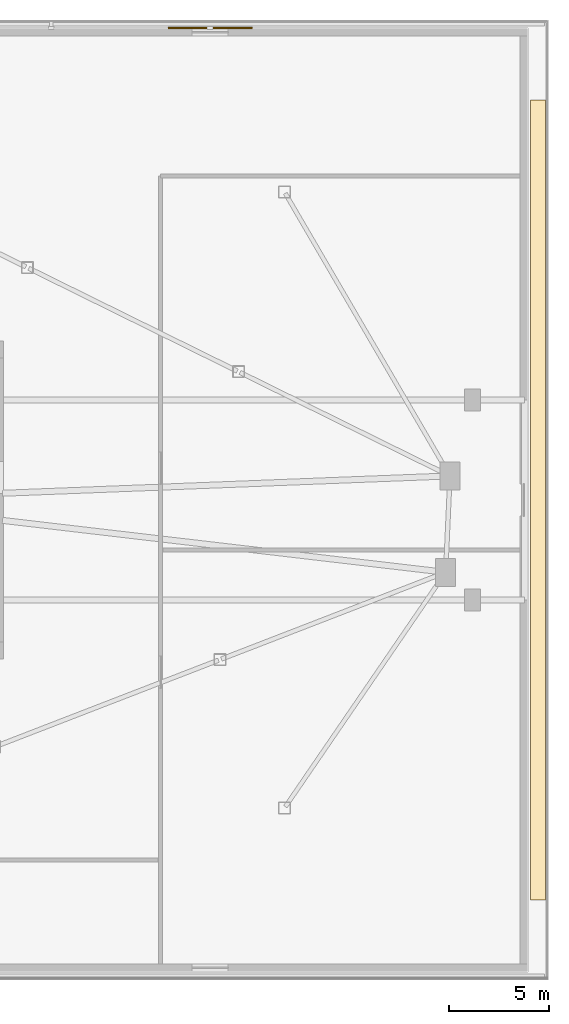
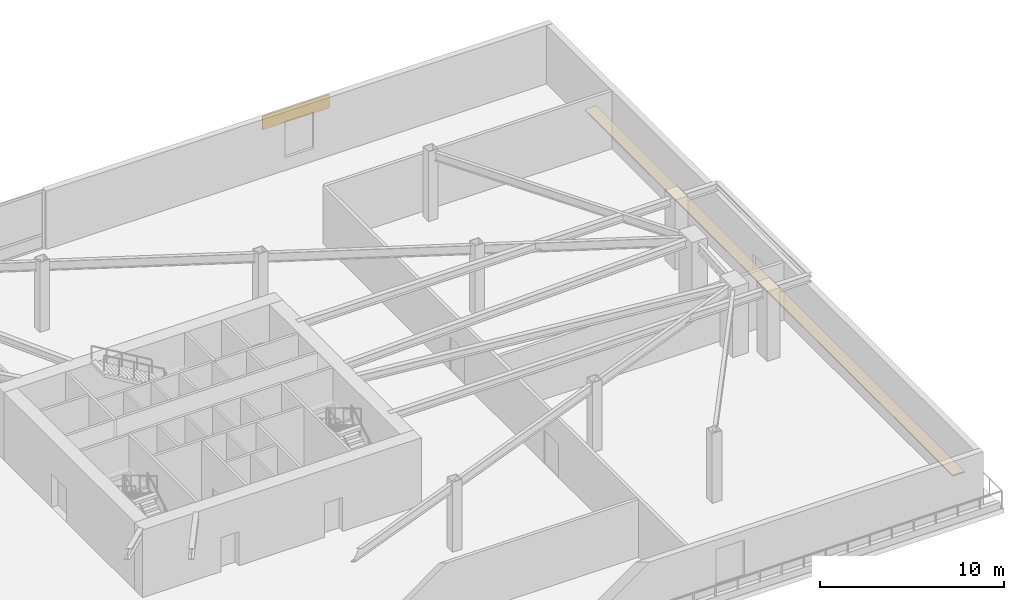
# One storey, part 14 of 14: 2 coverings.
"""IFC4 building model written with IfcOpenShell, lengths in metres."""

import ifcopenshell
import ifcopenshell.guid

model = None  # the IFC model being written
_history = None  # IfcOwnerHistory: only IFC2X3 demands one
_inside = {}  # id of a spatial element -> (the spatial element, [elements in it])
_under = {}  # id of a project, library or spatial element -> (it, [spatial elements below it])
_declared = {}  # id of a project -> (the project, [libraries it declares])
_typed = {}  # id of a type object -> (the type object, [elements of that type])
_made_of = {}  # id of a material, layer set ... -> (it, [elements and type objects made of it])


def new_model(schema):
    """Start an empty IFC model of exactly this schema.

    Asked for "IFC4X3", IfcOpenShell would pick the latest addendum, in which some entities
    have other attributes; the version numbers below select the first issue.
    IFC2X3 requires an IfcOwnerHistory on every rooted entity: one is made here for all.
    """
    global model, _history
    if schema == "IFC4X3":
        model = ifcopenshell.file(schema_version=(4, 3, 0, 0))
    else:
        model = ifcopenshell.file(schema=schema)
    _inside.clear()
    _under.clear()
    _declared.clear()
    _typed.clear()
    _made_of.clear()
    _history = None
    if model.schema == "IFC2X3":
        org = make("IfcOrganization", Name="unknown")
        user = make(
            "IfcPersonAndOrganization",
            ThePerson=make("IfcPerson", FamilyName="unknown"),
            TheOrganization=org,
        )
        app = make(
            "IfcApplication",
            ApplicationDeveloper=org,
            Version="unknown",
            ApplicationFullName="unknown",
            ApplicationIdentifier="unknown",
        )
        _history = make(
            "IfcOwnerHistory",
            OwningUser=user,
            OwningApplication=app,
            ChangeAction="ADDED",
            CreationDate=0,
        )
    return model


def make(cls, **values):
    """One entity of the class cls with the attributes given. An attribute that is None is left unset."""
    return model.create_entity(
        cls, **{name: value for name, value in values.items() if value is not None}
    )


def rooted(cls, **values):
    """An entity with a GlobalId (a new one), such as an element, a storey or a relation."""
    return make(cls, GlobalId=ifcopenshell.guid.new(), OwnerHistory=_history, **values)


def si_unit(unit_type, name, prefix=None):
    """IfcSIUnit, for example si_unit("LENGTHUNIT", "METRE", prefix="MILLI")."""
    return make("IfcSIUnit", UnitType=unit_type, Prefix=prefix, Name=name)


def assignment(units):
    """IfcUnitAssignment: the units of a project."""
    return None if units is None else make("IfcUnitAssignment", Units=units)


def point(xyz):
    """IfcCartesianPoint."""
    return None if xyz is None else make("IfcCartesianPoint", Coordinates=xyz)


def direction(xyz):
    """IfcDirection."""
    return None if xyz is None else make("IfcDirection", DirectionRatios=xyz)


def frame(location, z_axis=None, x_axis=None):
    """IfcAxis2Placement3D, a coordinate frame: its origin and axes. An axis left out is left unset."""
    return make(
        "IfcAxis2Placement3D",
        Location=point(location),
        Axis=direction(z_axis),
        RefDirection=direction(x_axis),
    )


def frame_2d(location, x_axis=None):
    """IfcAxis2Placement2D, a coordinate frame in the plane: its origin and x axis."""
    return make(
        "IfcAxis2Placement2D", Location=point(location), RefDirection=direction(x_axis)
    )


def origin():
    """The frame at (0, 0, 0) with its axes left unset."""
    return frame((0.0, 0.0, 0.0))


def origin_2d():
    """The frame at (0, 0) in the plane with its x axis left unset."""
    return frame_2d((0.0, 0.0))


def place(relative_to, where):
    """IfcLocalPlacement: puts the frame where relative to a parent placement (None: the world)."""
    return make(
        "IfcLocalPlacement", PlacementRelTo=relative_to, RelativePlacement=where
    )


def context(
    kind, dimensions, precision=None, world=None, true_north=None, identifier=None
):
    """IfcGeometricRepresentationContext, for example the 3D "Model" context."""
    return make(
        "IfcGeometricRepresentationContext",
        ContextIdentifier=identifier,
        ContextType=kind,
        CoordinateSpaceDimension=dimensions,
        Precision=precision,
        WorldCoordinateSystem=world,
        TrueNorth=true_north,
    )


def subcontext(parent, identifier, kind, view, scale=None):
    """IfcGeometricRepresentationSubContext, for example "Body" below "Model"."""
    return make(
        "IfcGeometricRepresentationSubContext",
        ContextIdentifier=identifier,
        ContextType=kind,
        ParentContext=parent,
        TargetScale=scale,
        TargetView=view,
    )


def project(units=None, contexts=None):
    """IfcProject with its units and contexts."""
    return rooted(
        "IfcProject",
        Name="project",
        RepresentationContexts=contexts,
        UnitsInContext=assignment(units),
    )


def spatial(cls, under=None, at=None, **own):
    """A site, building, storey or space (cls), placed at a placement, below another one or the project."""
    s = rooted(cls, ObjectPlacement=at, **own)
    if under is not None:
        _under.setdefault(under.id(), (under, []))[1].append(s)
    return s


def polyline(points):
    """IfcPolyline through the points."""
    return make("IfcPolyline", Points=[point(p) for p in points])


def profile(cls, at=None, kind="AREA", **sizes):
    """A parametric profile (cls). Its sizes go by their IFC names, for example OverallWidth=200.0."""
    return make(cls, ProfileType=kind, Position=at, **sizes)


def rectangle(**sizes):
    """IfcRectangleProfileDef."""
    return profile("IfcRectangleProfileDef", **sizes)


def outline(outer, holes=None, kind="AREA"):
    """IfcArbitraryClosedProfileDef: a profile drawn as a closed curve; with holes, ...WithVoids."""
    if holes is None:
        return make("IfcArbitraryClosedProfileDef", ProfileType=kind, OuterCurve=outer)
    return make(
        "IfcArbitraryProfileDefWithVoids",
        ProfileType=kind,
        OuterCurve=outer,
        InnerCurves=holes,
    )


def extrude(swept, where, along, depth):
    """IfcExtrudedAreaSolid: the profile swept, set in the frame where, extruded along a direction by depth."""
    return make(
        "IfcExtrudedAreaSolid",
        SweptArea=swept,
        Position=where,
        ExtrudedDirection=direction(along),
        Depth=depth,
    )


def shape(context_of_items, identifier, shape_type, items):
    """IfcShapeRepresentation: the items that make up one representation, for example the "Body"."""
    return make(
        "IfcShapeRepresentation",
        ContextOfItems=context_of_items,
        RepresentationIdentifier=identifier,
        RepresentationType=shape_type,
        Items=items,
    )


def source(mapping_origin, context_of_items, identifier, shape_type, items):
    """IfcRepresentationMap: a shape defined once, which mapped items show again and again."""
    return make(
        "IfcRepresentationMap",
        MappingOrigin=mapping_origin,
        MappedRepresentation=shape(context_of_items, identifier, shape_type, items),
    )


def transform(
    local_origin,
    x_axis=None,
    y_axis=None,
    z_axis=None,
    scale=None,
    scale2=None,
    scale3=None,
    uniform=True,
):
    """IfcCartesianTransformationOperator3D, or its non-uniform kind. x_axis, y_axis, z_axis: its Axis1, 2, 3."""
    if uniform:
        return make(
            "IfcCartesianTransformationOperator3D",
            Axis1=direction(x_axis),
            Axis2=direction(y_axis),
            LocalOrigin=point(local_origin),
            Scale=scale,
            Axis3=direction(z_axis),
        )
    return make(
        "IfcCartesianTransformationOperator3DnonUniform",
        Axis1=direction(x_axis),
        Axis2=direction(y_axis),
        LocalOrigin=point(local_origin),
        Scale=scale,
        Axis3=direction(z_axis),
        Scale2=scale2,
        Scale3=scale3,
    )


def mapped(mapping_source, mapping_target):
    """IfcMappedItem: shows the shape of a source again, moved by a transform."""
    return make(
        "IfcMappedItem", MappingSource=mapping_source, MappingTarget=mapping_target
    )


def material(Name=None, Category=None):
    """IfcMaterial."""
    return make("IfcMaterial", Name=Name, Category=Category)


def layer(
    of_material, thickness, ventilated=None, Name=None, Category=None, Priority=None
):
    """IfcMaterialLayer: one layer of a wall or slab, of a material (None: an air gap)."""
    return make(
        "IfcMaterialLayer",
        Material=of_material,
        LayerThickness=thickness,
        IsVentilated=ventilated,
        Name=Name,
        Category=Category,
        Priority=Priority,
    )


def layer_set(layers, Name=None):
    """IfcMaterialLayerSet."""
    return make("IfcMaterialLayerSet", MaterialLayers=layers, LayerSetName=Name)


def made_of(thing, what):
    """Note that an element or type object is made of a material, layer set ...; save() writes the relation."""
    if what is not None:
        _made_of.setdefault(what.id(), (what, []))[1].append(thing)
    return thing


def type_object(cls, material=None, **own):
    """A type object (cls), such as IfcWallType, which elements share."""
    return made_of(rooted(cls, **own), material)


def element(
    cls,
    number,
    at=None,
    inside=None,
    cuts=None,
    type_object=None,
    material=None,
    context=None,
    identifier="Body",
    shape_type=None,
    held_by="IfcProductDefinitionShape",
    body=None,
    shapes=None,
    **own,
):
    """One element of the class cls, such as IfcWall. Its Tag is "e" and its number.

    at: its placement. inside: the storey or other place that contains it. cuts: it is an
    opening in that element (IfcRelVoidsElement). A single representation is given by context,
    identifier, shape_type and body (its items); several are given by shapes. held_by: the class
    of the entity that holds the representations. save() writes the other relations.
    """
    e = rooted(cls, Tag="e%d" % number, ObjectPlacement=at, **own)
    if body is not None:
        shapes = [shape(context, identifier, shape_type, body)]
    if shapes is not None:
        e.Representation = make(held_by, Representations=shapes)
    if inside is not None:
        _inside.setdefault(inside.id(), (inside, []))[1].append(e)
    if cuts is not None:
        rooted(
            "IfcRelVoidsElement", RelatingBuildingElement=cuts, RelatedOpeningElement=e
        )
    if type_object is not None:
        _typed.setdefault(type_object.id(), (type_object, []))[1].append(e)
    return made_of(e, material)


def aggregate(whole, parts):
    """IfcRelAggregates: a whole, such as a stair, and the parts it consists of."""
    return rooted("IfcRelAggregates", RelatingObject=whole, RelatedObjects=parts)


def save(model, path):
    """Write the relations noted so far, then the file.

    IfcRelAggregates (storeys below a building ...), IfcRelContainedInSpatialStructure (elements
    in a storey), IfcRelDefinesByType, IfcRelAssociatesMaterial and IfcRelDeclares: one each for
    every whole, place, type object, material and project.
    """
    for whole, parts in _under.values():
        aggregate(whole, parts)
    for where, things in _inside.values():
        rooted(
            "IfcRelContainedInSpatialStructure",
            RelatedElements=things,
            RelatingStructure=where,
        )
    for kind, things in _typed.values():
        rooted("IfcRelDefinesByType", RelatedObjects=things, RelatingType=kind)
    for what, things in _made_of.values():
        rooted("IfcRelAssociatesMaterial", RelatedObjects=things, RelatingMaterial=what)
    for by, libraries in _declared.values():
        rooted("IfcRelDeclares", RelatingContext=by, RelatedDefinitions=libraries)
    model.write(path)


model = new_model("IFC4")

# Units and contexts
model_context = context("Model", 3, precision=1e-05, world=origin(), true_north=direction((0.0, 1.0)))
body_context = subcontext(model_context, "Body", "Model", "MODEL_VIEW")
ifc_project = project(units=[si_unit("LENGTHUNIT", "METRE"), si_unit("AREAUNIT", "SQUARE_METRE"), si_unit("VOLUMEUNIT", "CUBIC_METRE"), si_unit("PLANEANGLEUNIT", "RADIAN"), si_unit("MASSUNIT", "GRAM", prefix="KILO")], contexts=[model_context])

# Site, building, storey
site_placement = place(None, origin())
site = spatial("IfcSite", under=ifc_project, at=site_placement, CompositionType="ELEMENT")
building_placement = place(site_placement, origin())
building = spatial("IfcBuilding", under=site, at=building_placement, Name="Olszyna Solenne Hotel", CompositionType="ELEMENT")
storey_placement = place(building_placement, frame((0.0, 0.0, 5.39990234375)))
storey = spatial("IfcBuildingStorey", under=building, at=storey_placement, Name="L01", CompositionType="ELEMENT", Elevation=5.39990234375)

# Coverings
ifc_material_1 = material(Name="EPDM waterproofing membrane")
ifc_layer_1 = layer(ifc_material_1, 0.06005859375, Name="EPDM waterproofing membrane")
ifc_layer_set_1 = layer_set([ifc_layer_1], Name="EPDM waterproofing membrane")
covering_type_1 = type_object("IfcCoveringType", Name="RF-MB1", PredefinedType="ROOFING", material=ifc_layer_set_1)
covering_1_placement = place(storey_placement, origin())
element("IfcCovering", 1, at=covering_1_placement, inside=storey, type_object=covering_type_1, Name="Terrace waterproofing membrane build-up RFM-L01", PredefinedType="ROOFING", context=body_context, shape_type="SweptSolid", body=[
    extrude(outline(polyline([(73.10009765625, 6.60009765625), (73.85009765625, 6.60009765625), (73.85009765625, 46.60009765625), (73.10009765625, 46.60009765625), (73.10009765625, 6.60009765625)])), origin(), (0.0, 0.0, 1.0), 0.06005859375),
])
ifc_material_2 = material(Name="Terracotta cladding", Category="masonry")
ifc_layer_2 = layer(ifc_material_2, 0.054931640625, Name="Terracotta cladding")
ifc_layer_set_2 = layer_set([ifc_layer_2], Name="Terracotta cladding")
covering_type_2 = type_object("IfcCoveringType", Name="CD-TC1", PredefinedType="CLADDING", material=ifc_layer_set_2)
shared_shape = source(origin(), body_context, "Body", "SweptSolid", [
    extrude(rectangle(XDim=4.199951171875, YDim=0.054931640625, at=origin_2d()), origin(), (0.0, 0.0, 1.0), 0.89990234375),
])
covering_2_placement = place(storey_placement, frame((57.074951171875, 50.202392578125, 2.8720703125), z_axis=(0.0, 0.0, 1.0), x_axis=(1.0, 0.0, 0.0)))
element("IfcCovering", 2, at=covering_2_placement, inside=storey, type_object=covering_type_2, Name="Fluted terracotta rainscreen band CD-L01-NE", PredefinedType="CLADDING", context=body_context, shape_type="MappedRepresentation", body=[
    mapped(shared_shape, transform((0.0, 0.0, 0.0), x_axis=(1.0, 0.0, 0.0), y_axis=(0.0, 1.0, 0.0), z_axis=(0.0, 0.0, 1.0), scale=1.0)),
])

save(model, "model.ifc")
